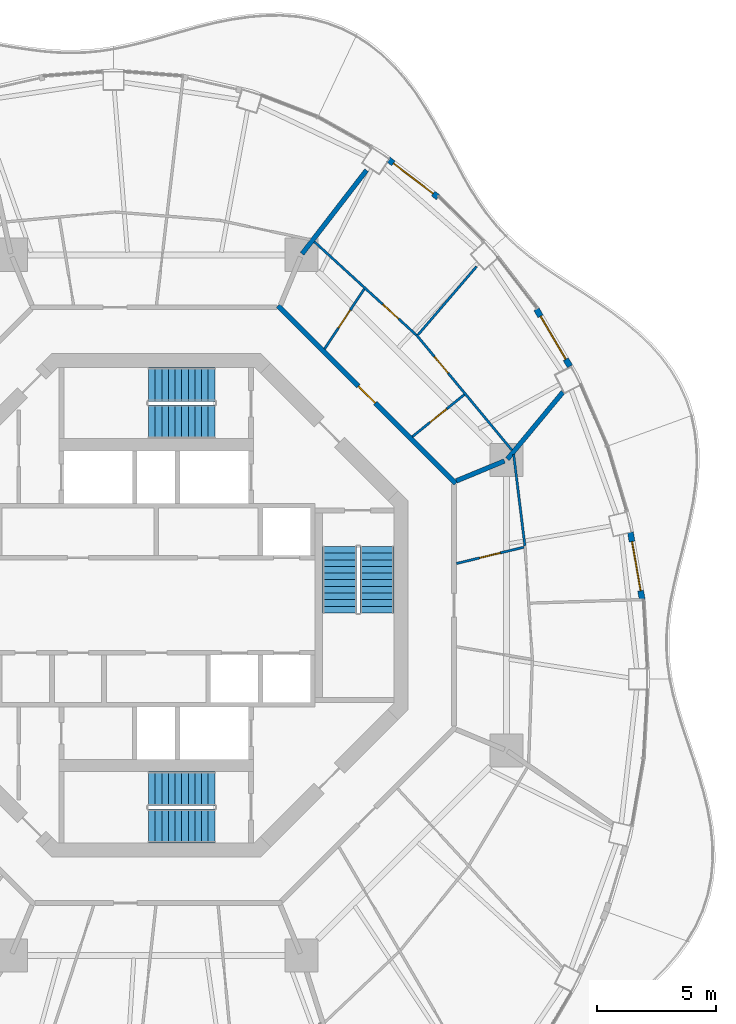
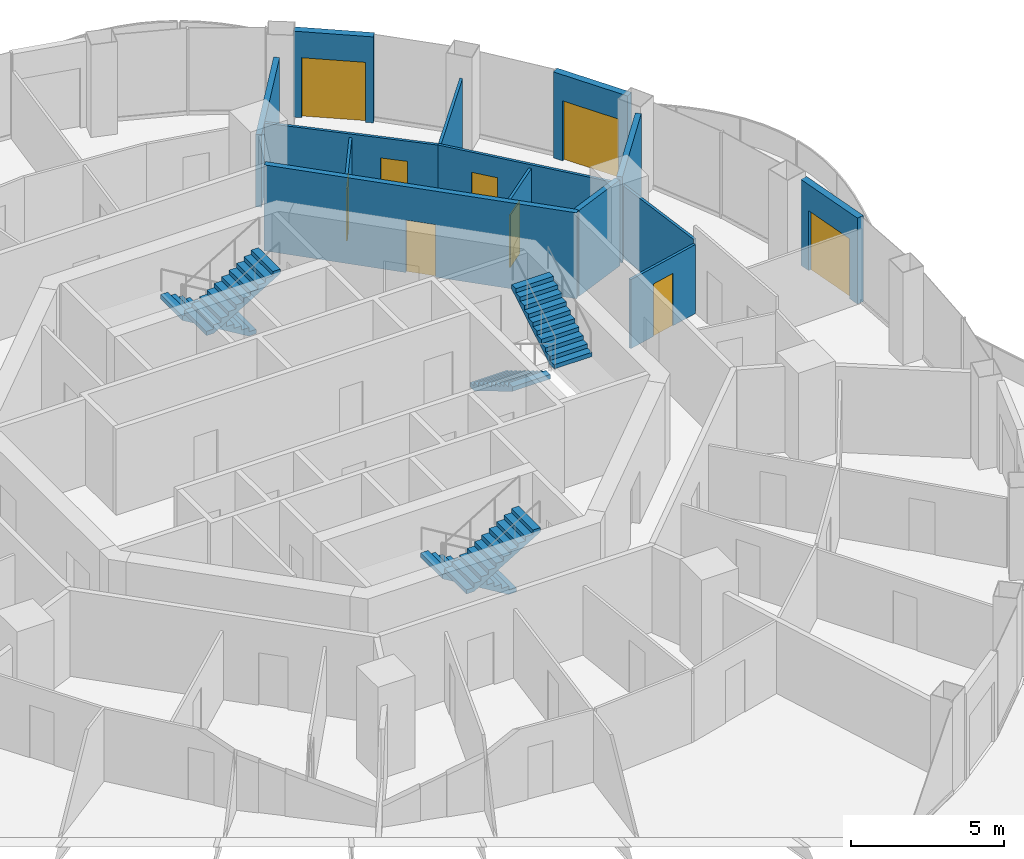
# One storey, part 14 of 17: 14 walls, 9 doors, 6 stair flights, 9 openings, 3 elements without a shape of their own.
"""IFC4 building model written with IfcOpenShell, lengths in metres."""

from ifc_helpers import new_model, si_unit, direction, frame, frame_2d, origin, place, context, subcontext, project, spatial, polyline, rectangle, outline, extrude, material, layer, layer_set, type_object, element, fill, aggregate, save


model = new_model("IFC4")

# Units and contexts
model_context = context("Model", 3, precision=1e-05, world=origin(), true_north=direction((0.0, 1.0)))
body_context = subcontext(model_context, "Body", "Model", "MODEL_VIEW")
ifc_project = project(units=[si_unit("LENGTHUNIT", "METRE"), si_unit("AREAUNIT", "SQUARE_METRE"), si_unit("VOLUMEUNIT", "CUBIC_METRE"), si_unit("PLANEANGLEUNIT", "RADIAN"), si_unit("MASSUNIT", "GRAM", prefix="KILO")], contexts=[model_context])

# Site, building, storey
site_placement = place(None, origin())
site = spatial("IfcSite", under=ifc_project, at=site_placement, CompositionType="ELEMENT")
building_placement = place(site_placement, origin())
building = spatial("IfcBuilding", under=site, at=building_placement, Name="Nagisa Residences", CompositionType="ELEMENT")
storey_placement = place(building_placement, frame((0.0, 0.0, 288.10009765625)))
storey = spatial("IfcBuildingStorey", under=building, at=storey_placement, Name="L73", CompositionType="ELEMENT", Elevation=288.10009765625)

# Walls
ifc_material_1 = material(Name="Gypsum board on steel studs", Category="steel")
ifc_layer_1 = layer(ifc_material_1, 0.199951171875)
ifc_layer_set_1 = layer_set([ifc_layer_1], Name="Apartment compartment wall EI60 200")
wall_type_1 = type_object("IfcWallType", Name="Apartment compartment wall EI60 200", PredefinedType="PARTITIONING", material=ifc_layer_set_1)
wall_1_placement = place(storey_placement, frame((12.6572265625, 5.24267578125, 0.0), z_axis=(0.0, 0.0, 1.0), x_axis=(0.923853160736, 0.382747093259, 0.0)))
element("IfcWall", 1, at=wall_1_placement, inside=storey, type_object=wall_type_1, Name="wall:L73:u00", PredefinedType="PARTITIONING", context=body_context, shape_type="SweptSolid", body=[
    extrude(rectangle(XDim=2.199951171875, YDim=0.199951171875, at=frame_2d((1.10009765625, 0.0))), origin(), (0.0, 0.0, 1.0), 3.43994140625),
])
wall_2_placement = place(storey_placement, frame((14.81396484375, 6.161376953125, 0.0), z_axis=(0.0, 0.0, 1.0), x_axis=(0.638050520313, 0.769994502272, 0.0)))
element("IfcWall", 2, at=wall_2_placement, inside=storey, type_object=wall_type_1, Name="wall:L73:u01", PredefinedType="PARTITIONING", context=body_context, shape_type="SweptSolid", body=[
    extrude(rectangle(XDim=3.6728515625, YDim=0.199951171875, at=frame_2d((1.83642578125, 0.0))), origin(), (0.0, 0.0, 1.0), 3.43994140625),
])
wall_3_placement = place(storey_placement, frame((6.153564453125, 14.821533203125, 0.0), z_axis=(0.0, 0.0, 1.0), x_axis=(0.610687612043, 0.791871606068, 0.0)))
element("IfcWall", 3, at=wall_3_placement, inside=storey, type_object=wall_type_1, Name="wall:L73:u03", PredefinedType="PARTITIONING", context=body_context, shape_type="SweptSolid", body=[
    extrude(rectangle(XDim=4.454833984375, YDim=0.199951171875, at=frame_2d((2.2275390625, 0.0))), origin(), (0.0, 0.0, 1.0), 2.90478515625),
])

# Wall, opening, door
ifc_material_2 = material(Name="Gypsum board on steel studs", Category="steel")
ifc_layer_2 = layer(ifc_material_2, 0.199951171875)
ifc_layer_set_2 = layer_set([ifc_layer_2], Name="Apartment entry wall EI60 200")
wall_type_2 = type_object("IfcWallType", Name="Apartment entry wall EI60 200", PredefinedType="PARTITIONING", material=ifc_layer_set_2)
wall_4_placement = place(storey_placement, frame((12.635498046875, 5.1337890625, 0.0), z_axis=(0.0, 0.0, 1.0), x_axis=(-0.707106781187, 0.707106781187, 0.0)))
wall_4 = element("IfcWall", 4, at=wall_4_placement, inside=storey, type_object=wall_type_2, Name="wall:L73:u15", PredefinedType="PARTITIONING", context=body_context, shape_type="SweptSolid", body=[
    extrude(rectangle(XDim=10.609130859375, YDim=0.199951171875, at=frame_2d((5.3046875, 0.0))), origin(), (0.0, 0.0, 1.0), 3.43994140625),
])
opening_1_placement = place(wall_4_placement, frame((4.804443359375, 0.0, 0.0)))
opening_1 = element("IfcOpeningElement", 5, at=opening_1_placement, cuts=wall_4, Name="Opening L73-U25", PredefinedType="OPENING", context=body_context, shape_type="SweptSolid", body=[
    extrude(rectangle(XDim=1.0, YDim=2.10009765625, at=frame_2d((0.5, 1.050048828125))), frame((0.0, 0.10986328125, 0.0), z_axis=(0.0, -1.0, 0.0), x_axis=(1.0, 0.0, 0.0)), (0.0, 0.0, 1.0), 0.219970703125),
])
ifc_material_3 = material(Name="Timber fire door set", Category="wood")
door_type_1 = type_object("IfcDoorType", Name="Apartment entry door FD30S 1000x2100", OperationType="NOTDEFINED", PredefinedType="DOOR", material=ifc_material_3)
door_1_placement = place(opening_1_placement, frame((1.0, 0.0, 0.0), x_axis=(-1.0, 0.0, 0.0)))
door_1 = element("IfcDoor", 6, at=door_1_placement, inside=storey, type_object=door_type_1, Name="Entry door, Apartment 73E", OperationType="SINGLE_SWING_RIGHT", OverallHeight=2.10009765625, OverallWidth=1.0, PredefinedType="DOOR", context=body_context, shape_type="SweptSolid", body=[
    extrude(rectangle(XDim=1.0, YDim=2.10009765625, at=frame_2d((0.5, 1.050048828125))), frame((0.0, 0.02490234375, 0.0), z_axis=(0.0, -1.0, 0.0), x_axis=(1.0, 0.0, 0.0)), (0.0, 0.0, 1.0), 0.050048828125),
])
fill(opening_1, door_1)

ifc_material_4 = material(Name="Gypsum board on steel studs", Category="steel")
ifc_layer_3 = layer(ifc_material_4, 0.10009765625)
ifc_layer_set_3 = layer_set([ifc_layer_3], Name="Apartment partition 100")
wall_type_3 = type_object("IfcWallType", Name="Apartment partition 100", PredefinedType="PARTITIONING", material=ifc_layer_set_3)
wall_5_placement = place(storey_placement, frame((12.661865234375, 1.75830078125, 0.0), z_axis=(0.0, 0.0, 1.0), x_axis=(0.972004827836, 0.234960879007, 0.0)))
wall_5 = element("IfcWall", 7, at=wall_5_placement, inside=storey, type_object=wall_type_3, Name="wall:L73:u26", PredefinedType="PARTITIONING", context=body_context, shape_type="SweptSolid", body=[
    extrude(rectangle(XDim=2.93017578125, YDim=0.10009765625, at=frame_2d((1.465087890625, 0.0))), origin(), (0.0, 0.0, 1.0), 2.761962890625),
])
opening_2_placement = place(wall_5_placement, frame((1.014892578125, 0.0, 0.0)))
opening_2 = element("IfcOpeningElement", 8, at=opening_2_placement, cuts=wall_5, Name="Opening L73-U22", PredefinedType="OPENING", context=body_context, shape_type="SweptSolid", body=[
    extrude(rectangle(XDim=0.89990234375, YDim=2.10009765625, at=frame_2d((0.449951171875, 1.050048828125))), frame((0.0, 0.06005859375, 0.0), z_axis=(0.0, -1.0, 0.0), x_axis=(1.0, 0.0, 0.0)), (0.0, 0.0, 1.0), 0.1201171875),
])
ifc_material_5 = material(Name="Timber door set", Category="wood")
door_type_2 = type_object("IfcDoorType", Name="Apartment door 900x2100", OperationType="NOTDEFINED", PredefinedType="DOOR", material=ifc_material_5)
door_2_placement = place(opening_2_placement, origin())
door_2 = element("IfcDoor", 9, at=door_2_placement, inside=storey, type_object=door_type_2, Name="Door to family bathroom, Apartment 73D", OperationType="SINGLE_SWING_RIGHT", OverallHeight=2.10009765625, OverallWidth=0.89990234375, PredefinedType="DOOR", context=body_context, shape_type="SweptSolid", body=[
    extrude(rectangle(XDim=0.89990234375, YDim=2.10009765625, at=frame_2d((0.449951171875, 1.050048828125))), frame((0.0, 0.02490234375, 0.0), z_axis=(0.0, -1.0, 0.0), x_axis=(1.0, 0.0, 0.0)), (0.0, 0.0, 1.0), 0.050048828125),
])
fill(opening_2, door_2)

# Wall
wall_6_placement = place(storey_placement, frame((15.552490234375, 2.50830078125, 0.0), z_axis=(0.0, 0.0, 1.0), x_axis=(-0.12196293976, 0.992534654974, 0.0)))
element("IfcWall", 10, at=wall_6_placement, inside=storey, type_object=wall_type_3, Name="wall:L73:u27", PredefinedType="PARTITIONING", context=body_context, shape_type="SweptSolid", body=[
    extrude(rectangle(XDim=3.887451171875, YDim=0.10009765625, at=frame_2d((1.94384765625, 0.0))), origin(), (0.0, 0.0, 1.0), 2.90478515625),
])

# Wall, opening, door
wall_7_placement = place(storey_placement, frame((15.00244140625, 6.54296875, 0.0), z_axis=(0.0, 0.0, 1.0), x_axis=(-0.637932656528, 0.770092154054, 0.0)))
wall_7 = element("IfcWall", 11, at=wall_7_placement, inside=storey, type_object=wall_type_3, Name="wall:L73:u28", PredefinedType="PARTITIONING", context=body_context, shape_type="SweptSolid", body=[
    extrude(rectangle(XDim=6.310546875, YDim=0.10009765625, at=frame_2d((3.1552734375, 0.0))), origin(), (0.0, 0.0, 1.0), 2.90478515625),
])
opening_3_placement = place(wall_7_placement, frame((4.220458984375, 0.0, 0.0)))
opening_3 = element("IfcOpeningElement", 12, at=opening_3_placement, cuts=wall_7, Name="Opening L73-U28", PredefinedType="OPENING", context=body_context, shape_type="SweptSolid", body=[
    extrude(rectangle(XDim=0.89990234375, YDim=2.10009765625, at=frame_2d((0.449951171875, 1.050048828125))), frame((0.0, 0.06005859375, 0.0), z_axis=(0.0, -1.0, 0.0), x_axis=(1.0, 0.0, 0.0)), (0.0, 0.0, 1.0), 0.1201171875),
])
door_3_placement = place(opening_3_placement, frame((0.89990234375, 0.0, 0.0), x_axis=(-1.0, 0.0, 0.0)))
door_3 = element("IfcDoor", 13, at=door_3_placement, inside=storey, type_object=door_type_2, Name="Door to master bedroom, Apartment 73E", OperationType="SINGLE_SWING_LEFT", OverallHeight=2.10009765625, OverallWidth=0.89990234375, PredefinedType="DOOR", context=body_context, shape_type="SweptSolid", body=[
    extrude(rectangle(XDim=0.89990234375, YDim=2.10009765625, at=frame_2d((0.449951171875, 1.050048828125))), frame((0.0, 0.02490234375, 0.0), z_axis=(0.0, -1.0, 0.0), x_axis=(1.0, 0.0, 0.0)), (0.0, 0.0, 1.0), 0.050048828125),
])
fill(opening_3, door_3)

wall_8_placement = place(storey_placement, frame((10.802490234375, 7.107421875, 0.0), z_axis=(0.0, 0.0, 1.0), x_axis=(0.777526610395, 0.628850037868, 0.0)))
wall_8 = element("IfcWall", 14, at=wall_8_placement, inside=storey, type_object=wall_type_3, Name="wall:L73:u29", PredefinedType="PARTITIONING", context=body_context, shape_type="SweptSolid", body=[
    extrude(rectangle(XDim=2.824462890625, YDim=0.10009765625, at=frame_2d((1.412109375, 0.0))), origin(), (0.0, 0.0, 1.0), 2.761962890625),
])
opening_4_placement = place(wall_8_placement, frame((0.962158203125, 0.0, 0.0)))
opening_4 = element("IfcOpeningElement", 15, at=opening_4_placement, cuts=wall_8, Name="Opening L73-U26", PredefinedType="OPENING", context=body_context, shape_type="SweptSolid", body=[
    extrude(rectangle(XDim=0.89990234375, YDim=2.10009765625, at=frame_2d((0.449951171875, 1.050048828125))), frame((0.0, 0.06005859375, 0.0), z_axis=(0.0, -1.0, 0.0), x_axis=(1.0, 0.0, 0.0)), (0.0, 0.0, 1.0), 0.1201171875),
])
door_4_placement = place(opening_4_placement, frame((0.89990234375, 0.0, 0.0), x_axis=(-1.0, 0.0, 0.0)))
door_4 = element("IfcDoor", 16, at=door_4_placement, inside=storey, type_object=door_type_2, Name="Door to family bathroom, Apartment 73E", OperationType="SINGLE_SWING_LEFT", OverallHeight=2.10009765625, OverallWidth=0.89990234375, PredefinedType="DOOR", context=body_context, shape_type="SweptSolid", body=[
    extrude(rectangle(XDim=0.89990234375, YDim=2.10009765625, at=frame_2d((0.449951171875, 1.050048828125))), frame((0.0, 0.02490234375, 0.0), z_axis=(0.0, -1.0, 0.0), x_axis=(1.0, 0.0, 0.0)), (0.0, 0.0, 1.0), 0.050048828125),
])
fill(opening_4, door_4)

# Wall
wall_9_placement = place(storey_placement, frame((11.041259765625, 11.402099609375, 0.0), z_axis=(0.0, 0.0, 1.0), x_axis=(0.650558544325, 0.759456108282, 0.0)))
element("IfcWall", 17, at=wall_9_placement, inside=storey, type_object=wall_type_3, Name="wall:L73:u30", PredefinedType="PARTITIONING", context=body_context, shape_type="SweptSolid", body=[
    extrude(rectangle(XDim=3.800048828125, YDim=0.10009765625, at=frame_2d((1.89990234375, 0.0))), origin(), (0.0, 0.0, 1.0), 2.90478515625),
])

# Wall, opening, door
wall_10_placement = place(storey_placement, frame((10.9716796875, 11.397705078125, 0.0), z_axis=(0.0, 0.0, 1.0), x_axis=(-0.737830272434, 0.674986288069, 0.0)))
wall_10 = element("IfcWall", 18, at=wall_10_placement, inside=storey, type_object=wall_type_3, Name="wall:L73:u31", PredefinedType="PARTITIONING", context=body_context, shape_type="SweptSolid", body=[
    extrude(rectangle(XDim=5.827392578125, YDim=0.10009765625, at=frame_2d((2.91357421875, 0.0))), origin(), (0.0, 0.0, 1.0), 2.90478515625),
])
opening_5_placement = place(wall_10_placement, frame((1.019287109375, 0.0, 0.0)))
opening_5 = element("IfcOpeningElement", 19, at=opening_5_placement, cuts=wall_10, Name="Opening L73-U29", PredefinedType="OPENING", context=body_context, shape_type="SweptSolid", body=[
    extrude(rectangle(XDim=0.89990234375, YDim=2.10009765625, at=frame_2d((0.449951171875, 1.050048828125))), frame((0.0, 0.06005859375, 0.0), z_axis=(0.0, -1.0, 0.0), x_axis=(1.0, 0.0, 0.0)), (0.0, 0.0, 1.0), 0.1201171875),
])
door_5_placement = place(opening_5_placement, frame((0.89990234375, 0.0, 0.0), x_axis=(-1.0, 0.0, 0.0)))
door_5 = element("IfcDoor", 20, at=door_5_placement, inside=storey, type_object=door_type_2, Name="Door to kitchen, Apartment 73E", OperationType="SINGLE_SWING_RIGHT", OverallHeight=2.10009765625, OverallWidth=0.89990234375, PredefinedType="DOOR", context=body_context, shape_type="SweptSolid", body=[
    extrude(rectangle(XDim=0.89990234375, YDim=2.10009765625, at=frame_2d((0.449951171875, 1.050048828125))), frame((0.0, 0.02490234375, 0.0), z_axis=(0.0, -1.0, 0.0), x_axis=(1.0, 0.0, 0.0)), (0.0, 0.0, 1.0), 0.050048828125),
])
fill(opening_5, door_5)

wall_11_placement = place(storey_placement, frame((7.099853515625, 10.80810546875, 0.0), z_axis=(0.0, 0.0, 1.0), x_axis=(0.55204370542, 0.833815175747, 0.0)))
wall_11 = element("IfcWall", 21, at=wall_11_placement, inside=storey, type_object=wall_type_3, Name="wall:L73:u32", PredefinedType="PARTITIONING", context=body_context, shape_type="SweptSolid", body=[
    extrude(rectangle(XDim=3.0361328125, YDim=0.10009765625, at=frame_2d((1.51806640625, 0.0))), origin(), (0.0, 0.0, 1.0), 2.761962890625),
])
opening_6_placement = place(wall_11_placement, frame((1.068115234375, 0.0, 0.0)))
opening_6 = element("IfcOpeningElement", 22, at=opening_6_placement, cuts=wall_11, Name="Opening L73-U27", PredefinedType="OPENING", context=body_context, shape_type="SweptSolid", body=[
    extrude(rectangle(XDim=0.89990234375, YDim=2.10009765625, at=frame_2d((0.449951171875, 1.050048828125))), frame((0.0, 0.06005859375, 0.0), z_axis=(0.0, -1.0, 0.0), x_axis=(1.0, 0.0, 0.0)), (0.0, 0.0, 1.0), 0.1201171875),
])
door_6_placement = place(opening_6_placement, origin())
door_6 = element("IfcDoor", 23, at=door_6_placement, inside=storey, type_object=door_type_2, Name="Door to family bathroom, Apartment 73E", OperationType="SINGLE_SWING_LEFT", OverallHeight=2.10009765625, OverallWidth=0.89990234375, PredefinedType="DOOR", context=body_context, shape_type="SweptSolid", body=[
    extrude(rectangle(XDim=0.89990234375, YDim=2.10009765625, at=frame_2d((0.449951171875, 1.050048828125))), frame((0.0, 0.02490234375, 0.0), z_axis=(0.0, -1.0, 0.0), x_axis=(1.0, 0.0, 0.0)), (0.0, 0.0, 1.0), 0.050048828125),
])
fill(opening_6, door_6)

ifc_material_6 = material(Name="Precast concrete C40/50", Category="concrete")
ifc_layer_4 = layer(ifc_material_6, 0.25)
ifc_layer_set_4 = layer_set([ifc_layer_4], Name="BALCONY DOOR WALL 250")
wall_type_4 = type_object("IfcWallType", Name="BALCONY DOOR WALL 250", PredefinedType="SOLIDWALL", material=ifc_layer_set_4)
wall_12_placement = place(storey_placement, frame((20.003662109375, 3.07958984375, 0.0), z_axis=(0.0, 0.0, 1.0), x_axis=(0.172182411767, -0.985065082661, 0.0)))
wall_12 = element("IfcWall", 24, at=wall_12_placement, inside=storey, type_object=wall_type_4, Name="wall:L73:bay01", PredefinedType="SOLIDWALL", context=body_context, shape_type="SweptSolid", body=[
    extrude(rectangle(XDim=2.902587890625, YDim=0.25, at=frame_2d((1.451171875, 0.0))), origin(), (0.0, 0.0, 1.0), 3.43994140625),
])
opening_7_placement = place(wall_12_placement, frame((0.401123046875, 0.0, 0.0)))
opening_7 = element("IfcOpeningElement", 25, at=opening_7_placement, cuts=wall_12, Name="Opening BD-L73-01", PredefinedType="OPENING", context=body_context, shape_type="SweptSolid", body=[
    extrude(rectangle(XDim=2.10009765625, YDim=2.39990234375, at=frame_2d((1.050048828125, 1.199951171875))), frame((0.0, 0.135009765625, 0.0), z_axis=(0.0, -1.0, 0.0), x_axis=(1.0, 0.0, 0.0)), (0.0, 0.0, 1.0), 0.27001953125),
])
ifc_material_7 = material(Name="Aluminium and clear glass", Category="aluminium")
door_type_3 = type_object("IfcDoorType", Name="BALCONY SLIDING DOOR 2100x2400", OperationType="SLIDING_TO_LEFT", PredefinedType="DOOR", material=ifc_material_7)
door_7_placement = place(opening_7_placement, origin())
door_7 = element("IfcDoor", 26, at=door_7_placement, inside=storey, type_object=door_type_3, Name="door:L73:bay01", OperationType="SLIDING_TO_LEFT", OverallHeight=2.39990234375, OverallWidth=2.10009765625, PredefinedType="DOOR", context=body_context, shape_type="SweptSolid", body=[
    extrude(rectangle(XDim=2.10009765625, YDim=2.39990234375, at=frame_2d((1.050048828125, 1.199951171875))), frame((0.0, 0.02490234375, 0.0), z_axis=(0.0, -1.0, 0.0), x_axis=(1.0, 0.0, 0.0)), (0.0, 0.0, 1.0), 0.050048828125),
])
fill(opening_7, door_7)

wall_13_placement = place(storey_placement, frame((16.037841796875, 12.488525390625, 0.0), z_axis=(0.0, 0.0, 1.0), x_axis=(0.506371364425, -0.862315511452, 0.0)))
wall_13 = element("IfcWall", 27, at=wall_13_placement, inside=storey, type_object=wall_type_4, Name="wall:L73:bay04", PredefinedType="SOLIDWALL", context=body_context, shape_type="SweptSolid", body=[
    extrude(rectangle(XDim=2.79638671875, YDim=0.25, at=frame_2d((1.398193359375, 0.0))), origin(), (0.0, 0.0, 1.0), 3.43994140625),
])
opening_8_placement = place(wall_13_placement, frame((0.34814453125, 0.0, 0.0)))
opening_8 = element("IfcOpeningElement", 28, at=opening_8_placement, cuts=wall_13, Name="Opening BD-L73-02", PredefinedType="OPENING", context=body_context, shape_type="SweptSolid", body=[
    extrude(rectangle(XDim=2.10009765625, YDim=2.39990234375, at=frame_2d((1.050048828125, 1.199951171875))), frame((0.0, 0.135009765625, 0.0), z_axis=(0.0, -1.0, 0.0), x_axis=(1.0, 0.0, 0.0)), (0.0, 0.0, 1.0), 0.27001953125),
])
door_8_placement = place(opening_8_placement, origin())
door_8 = element("IfcDoor", 29, at=door_8_placement, inside=storey, type_object=door_type_3, Name="door:L73:bay04", OperationType="SLIDING_TO_LEFT", OverallHeight=2.39990234375, OverallWidth=2.10009765625, PredefinedType="DOOR", context=body_context, shape_type="SweptSolid", body=[
    extrude(rectangle(XDim=2.10009765625, YDim=2.39990234375, at=frame_2d((1.050048828125, 1.199951171875))), frame((0.0, 0.02490234375, 0.0), z_axis=(0.0, -1.0, 0.0), x_axis=(1.0, 0.0, 0.0)), (0.0, 0.0, 1.0), 0.050048828125),
])
fill(opening_8, door_8)

wall_14_placement = place(storey_placement, frame((9.79248046875, 18.802001953125, 0.0), z_axis=(0.0, 0.0, 1.0), x_axis=(0.796010739377, -0.605282498339, 0.0)))
wall_14 = element("IfcWall", 30, at=wall_14_placement, inside=storey, type_object=wall_type_4, Name="wall:L73:bay07", PredefinedType="SOLIDWALL", context=body_context, shape_type="SweptSolid", body=[
    extrude(rectangle(XDim=2.640625, YDim=0.25, at=frame_2d((1.3203125, 0.0))), origin(), (0.0, 0.0, 1.0), 3.43994140625),
])
opening_9_placement = place(wall_14_placement, frame((0.270263671875, 0.0, 0.0)))
opening_9 = element("IfcOpeningElement", 31, at=opening_9_placement, cuts=wall_14, Name="Opening BD-L73-03", PredefinedType="OPENING", context=body_context, shape_type="SweptSolid", body=[
    extrude(rectangle(XDim=2.10009765625, YDim=2.39990234375, at=frame_2d((1.050048828125, 1.199951171875))), frame((0.0, 0.135009765625, 0.0), z_axis=(0.0, -1.0, 0.0), x_axis=(1.0, 0.0, 0.0)), (0.0, 0.0, 1.0), 0.27001953125),
])
door_9_placement = place(opening_9_placement, origin())
door_9 = element("IfcDoor", 32, at=door_9_placement, inside=storey, type_object=door_type_3, Name="door:L73:bay07", OperationType="SLIDING_TO_LEFT", OverallHeight=2.39990234375, OverallWidth=2.10009765625, PredefinedType="DOOR", context=body_context, shape_type="SweptSolid", body=[
    extrude(rectangle(XDim=2.10009765625, YDim=2.39990234375, at=frame_2d((1.050048828125, 1.199951171875))), frame((0.0, 0.02490234375, 0.0), z_axis=(0.0, -1.0, 0.0), x_axis=(1.0, 0.0, 0.0)), (0.0, 0.0, 1.0), 0.050048828125),
])
fill(opening_9, door_9)

# Stair, stair flights
ifc_material_8 = material(Name="Concrete C60", Category="concrete")
stair_type = type_object("IfcStairType", Name="Exit stair", PredefinedType="HALF_TURN_STAIR", material=ifc_material_8)
stair_1_placement = place(storey_placement, origin())
stair_1 = element("IfcStair", 33, at=stair_1_placement, inside=storey, type_object=stair_type, Name="L73 Exit stair E", PredefinedType="HALF_TURN_STAIR")
ifc_material_9 = material(Name="Concrete C60", Category="concrete")
stair_flight_type = type_object("IfcStairFlightType", Name="Exit stair flight", PredefinedType="STRAIGHT", material=ifc_material_9)
stair_flight_1_placement = place(storey_placement, frame((7.737060546875, 2.47509765625, 0.0), z_axis=(0.0, 0.0, 1.0), x_axis=(0.0, -1.0, 0.0)))
stair_flight_1 = element("IfcStairFlight", 34, at=stair_flight_1_placement, type_object=stair_flight_type, Name="ST-E flight 1", NumberOfRisers=11, NumberOfTreads=10, PredefinedType="STRAIGHT", RiserHeight=0.168181818, TreadLength=0.28, context=body_context, shape_type="SweptSolid", body=[
    extrude(outline(polyline([(0.0, 0.0), (0.0, 0.168212890625), (0.280029296875, 0.168212890625), (0.280029296875, 0.33642578125), (0.56005859375, 0.33642578125), (0.56005859375, 0.504638671875), (0.840087890625, 0.504638671875), (0.840087890625, 0.672607421875), (1.1201171875, 0.672607421875), (1.1201171875, 0.8408203125), (1.39990234375, 0.8408203125), (1.39990234375, 1.009033203125), (1.679931640625, 1.009033203125), (1.679931640625, 1.17724609375), (1.9599609375, 1.17724609375), (1.9599609375, 1.345458984375), (2.239990234375, 1.345458984375), (2.239990234375, 1.513671875), (2.52001953125, 1.513671875), (2.52001953125, 1.681884765625), (2.800048828125, 1.681884765625), (2.800048828125, 1.85009765625), (2.800048828125, 1.5068359375), (0.291015625, 0.0), (0.0, 0.0)])), frame((0.0, 0.71240234375, 0.0), z_axis=(0.0, -1.0, 0.0), x_axis=(1.0, 0.0, 0.0)), (0.0, 0.0, 1.0), 1.425048828125),
])
stair_flight_2_placement = place(storey_placement, frame((9.31201171875, -0.324951171875, 1.849853515625), z_axis=(0.0, 0.0, 1.0), x_axis=(0.0, 1.0, 0.0)))
stair_flight_2 = element("IfcStairFlight", 35, at=stair_flight_2_placement, type_object=stair_flight_type, Name="ST-E flight 2", NumberOfRisers=11, NumberOfTreads=10, PredefinedType="STRAIGHT", RiserHeight=0.168181818, TreadLength=0.28, context=body_context, shape_type="SweptSolid", body=[
    extrude(outline(polyline([(0.0, 0.0), (0.0, 0.168212890625), (0.280029296875, 0.168212890625), (0.280029296875, 0.33642578125), (0.56005859375, 0.33642578125), (0.56005859375, 0.504638671875), (0.840087890625, 0.504638671875), (0.840087890625, 0.672607421875), (1.1201171875, 0.672607421875), (1.1201171875, 0.8408203125), (1.39990234375, 0.8408203125), (1.39990234375, 1.009033203125), (1.679931640625, 1.009033203125), (1.679931640625, 1.17724609375), (1.9599609375, 1.17724609375), (1.9599609375, 1.345458984375), (2.239990234375, 1.345458984375), (2.239990234375, 1.513671875), (2.52001953125, 1.513671875), (2.52001953125, 1.681884765625), (2.800048828125, 1.681884765625), (2.800048828125, 1.85009765625), (2.800048828125, 1.5068359375), (0.291015625, 0.0), (0.0, 0.0)])), frame((0.0, 0.71240234375, 0.0), z_axis=(0.0, -1.0, 0.0), x_axis=(1.0, 0.0, 0.0)), (0.0, 0.0, 1.0), 1.425048828125),
])
aggregate(stair_1, [stair_flight_1, stair_flight_2])

stair_2_placement = place(storey_placement, origin())
stair_2 = element("IfcStair", 36, at=stair_2_placement, inside=storey, type_object=stair_type, Name="L73 Exit stair N", PredefinedType="HALF_TURN_STAIR")
stair_flight_3_placement = place(storey_placement, frame((2.47509765625, 9.31201171875, 0.0), z_axis=(0.0, 0.0, 1.0), x_axis=(-1.0, 0.0, 0.0)))
stair_flight_3 = element("IfcStairFlight", 37, at=stair_flight_3_placement, type_object=stair_flight_type, Name="ST-N flight 1", NumberOfRisers=11, NumberOfTreads=10, PredefinedType="STRAIGHT", RiserHeight=0.168181818, TreadLength=0.28, context=body_context, shape_type="SweptSolid", body=[
    extrude(outline(polyline([(0.0, 0.0), (0.0, 0.168212890625), (0.280029296875, 0.168212890625), (0.280029296875, 0.33642578125), (0.56005859375, 0.33642578125), (0.56005859375, 0.504638671875), (0.840087890625, 0.504638671875), (0.840087890625, 0.672607421875), (1.1201171875, 0.672607421875), (1.1201171875, 0.8408203125), (1.39990234375, 0.8408203125), (1.39990234375, 1.009033203125), (1.679931640625, 1.009033203125), (1.679931640625, 1.17724609375), (1.9599609375, 1.17724609375), (1.9599609375, 1.345458984375), (2.239990234375, 1.345458984375), (2.239990234375, 1.513671875), (2.52001953125, 1.513671875), (2.52001953125, 1.681884765625), (2.800048828125, 1.681884765625), (2.800048828125, 1.85009765625), (2.800048828125, 1.5068359375), (0.291015625, 0.0), (0.0, 0.0)])), frame((0.0, 0.71240234375, 0.0), z_axis=(0.0, -1.0, 0.0), x_axis=(1.0, 0.0, 0.0)), (0.0, 0.0, 1.0), 1.425048828125),
])
stair_flight_4_placement = place(storey_placement, frame((-0.324951171875, 7.737060546875, 1.849853515625), z_axis=(0.0, 0.0, 1.0), x_axis=(1.0, 0.0, 0.0)))
stair_flight_4 = element("IfcStairFlight", 38, at=stair_flight_4_placement, type_object=stair_flight_type, Name="ST-N flight 2", NumberOfRisers=11, NumberOfTreads=10, PredefinedType="STRAIGHT", RiserHeight=0.168181818, TreadLength=0.28, context=body_context, shape_type="SweptSolid", body=[
    extrude(outline(polyline([(0.0, 0.0), (0.0, 0.168212890625), (0.280029296875, 0.168212890625), (0.280029296875, 0.33642578125), (0.56005859375, 0.33642578125), (0.56005859375, 0.504638671875), (0.840087890625, 0.504638671875), (0.840087890625, 0.672607421875), (1.1201171875, 0.672607421875), (1.1201171875, 0.8408203125), (1.39990234375, 0.8408203125), (1.39990234375, 1.009033203125), (1.679931640625, 1.009033203125), (1.679931640625, 1.17724609375), (1.9599609375, 1.17724609375), (1.9599609375, 1.345458984375), (2.239990234375, 1.345458984375), (2.239990234375, 1.513671875), (2.52001953125, 1.513671875), (2.52001953125, 1.681884765625), (2.800048828125, 1.681884765625), (2.800048828125, 1.85009765625), (2.800048828125, 1.5068359375), (0.291015625, 0.0), (0.0, 0.0)])), frame((0.0, 0.71240234375, 0.0), z_axis=(0.0, -1.0, 0.0), x_axis=(1.0, 0.0, 0.0)), (0.0, 0.0, 1.0), 1.425048828125),
])
aggregate(stair_2, [stair_flight_3, stair_flight_4])

stair_3_placement = place(storey_placement, origin())
stair_3 = element("IfcStair", 39, at=stair_3_placement, inside=storey, type_object=stair_type, Name="L73 Exit stair S", PredefinedType="HALF_TURN_STAIR")
stair_flight_5_placement = place(storey_placement, frame((2.47509765625, -7.737060546875, 0.0), z_axis=(0.0, 0.0, 1.0), x_axis=(-1.0, 0.0, 0.0)))
stair_flight_5 = element("IfcStairFlight", 40, at=stair_flight_5_placement, type_object=stair_flight_type, Name="ST-S flight 1", NumberOfRisers=11, NumberOfTreads=10, PredefinedType="STRAIGHT", RiserHeight=0.168181818, TreadLength=0.28, context=body_context, shape_type="SweptSolid", body=[
    extrude(outline(polyline([(0.0, 0.0), (0.0, 0.168212890625), (0.280029296875, 0.168212890625), (0.280029296875, 0.33642578125), (0.56005859375, 0.33642578125), (0.56005859375, 0.504638671875), (0.840087890625, 0.504638671875), (0.840087890625, 0.672607421875), (1.1201171875, 0.672607421875), (1.1201171875, 0.8408203125), (1.39990234375, 0.8408203125), (1.39990234375, 1.009033203125), (1.679931640625, 1.009033203125), (1.679931640625, 1.17724609375), (1.9599609375, 1.17724609375), (1.9599609375, 1.345458984375), (2.239990234375, 1.345458984375), (2.239990234375, 1.513671875), (2.52001953125, 1.513671875), (2.52001953125, 1.681884765625), (2.800048828125, 1.681884765625), (2.800048828125, 1.85009765625), (2.800048828125, 1.5068359375), (0.291015625, 0.0), (0.0, 0.0)])), frame((0.0, 0.71240234375, 0.0), z_axis=(0.0, -1.0, 0.0), x_axis=(1.0, 0.0, 0.0)), (0.0, 0.0, 1.0), 1.425048828125),
])
stair_flight_6_placement = place(storey_placement, frame((-0.324951171875, -9.31201171875, 1.849853515625), z_axis=(0.0, 0.0, 1.0), x_axis=(1.0, 0.0, 0.0)))
stair_flight_6 = element("IfcStairFlight", 41, at=stair_flight_6_placement, type_object=stair_flight_type, Name="ST-S flight 2", NumberOfRisers=11, NumberOfTreads=10, PredefinedType="STRAIGHT", RiserHeight=0.168181818, TreadLength=0.28, context=body_context, shape_type="SweptSolid", body=[
    extrude(outline(polyline([(0.0, 0.0), (0.0, 0.168212890625), (0.280029296875, 0.168212890625), (0.280029296875, 0.33642578125), (0.56005859375, 0.33642578125), (0.56005859375, 0.504638671875), (0.840087890625, 0.504638671875), (0.840087890625, 0.672607421875), (1.1201171875, 0.672607421875), (1.1201171875, 0.8408203125), (1.39990234375, 0.8408203125), (1.39990234375, 1.009033203125), (1.679931640625, 1.009033203125), (1.679931640625, 1.17724609375), (1.9599609375, 1.17724609375), (1.9599609375, 1.345458984375), (2.239990234375, 1.345458984375), (2.239990234375, 1.513671875), (2.52001953125, 1.513671875), (2.52001953125, 1.681884765625), (2.800048828125, 1.681884765625), (2.800048828125, 1.85009765625), (2.800048828125, 1.5068359375), (0.291015625, 0.0), (0.0, 0.0)])), frame((0.0, 0.71240234375, 0.0), z_axis=(0.0, -1.0, 0.0), x_axis=(1.0, 0.0, 0.0)), (0.0, 0.0, 1.0), 1.425048828125),
])
aggregate(stair_3, [stair_flight_5, stair_flight_6])

save(model, "model.ifc")
